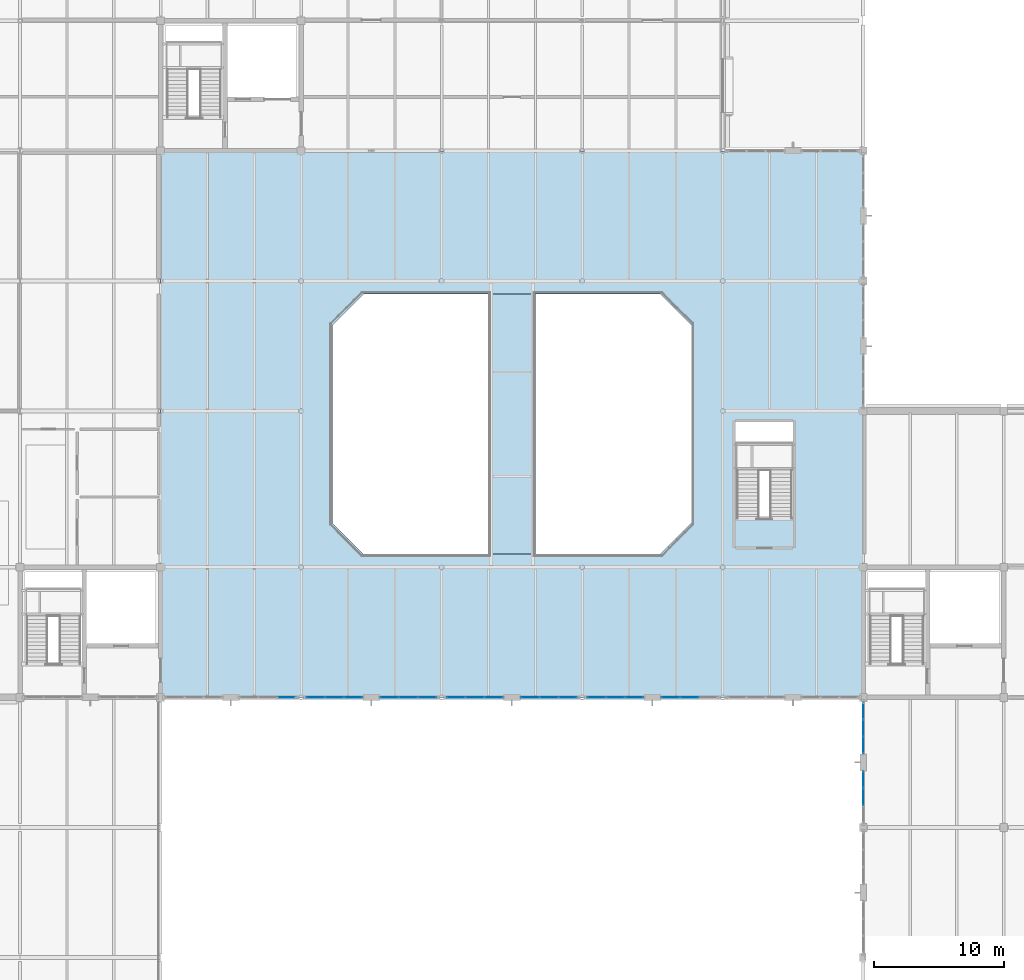
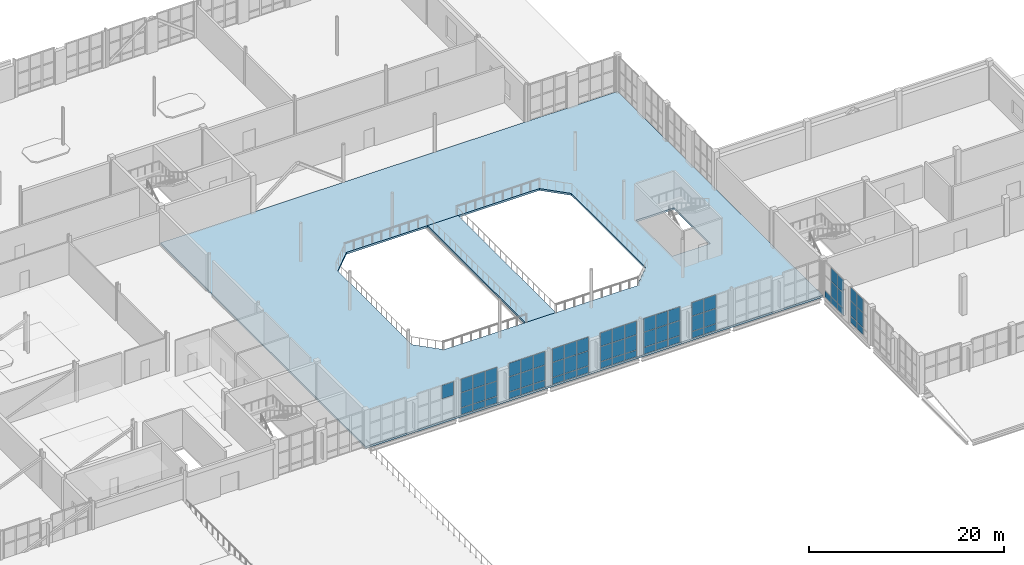
# One storey, part 65 of 100: 65 plates, 2 slabs, 9 elements without a shape of their own.
"""IFC4 building model written with IfcOpenShell, lengths in metres."""

from ifc_helpers import new_model, si_unit, direction, frame, origin, origin_2d, place, context, subcontext, project, spatial, polyline, rectangle, outline, extrude, material, layer, layer_set, type_object, element, aggregate, save


model = new_model("IFC4")

# Units and contexts
model_context = context("Model", 3, precision=1e-05, world=origin(), true_north=direction((0.0, 1.0)))
body_context = subcontext(model_context, "Body", "Model", "MODEL_VIEW")
ifc_project = project(units=[si_unit("LENGTHUNIT", "METRE"), si_unit("AREAUNIT", "SQUARE_METRE"), si_unit("VOLUMEUNIT", "CUBIC_METRE"), si_unit("PLANEANGLEUNIT", "RADIAN"), si_unit("MASSUNIT", "GRAM", prefix="KILO")], contexts=[model_context])

# Site, building, storey
site_placement = place(None, origin())
site = spatial("IfcSite", under=ifc_project, at=site_placement, CompositionType="ELEMENT")
building_placement = place(site_placement, origin())
building = spatial("IfcBuilding", under=site, at=building_placement, Name="Tasgan Crest Museum", CompositionType="ELEMENT")
storey_placement = place(building_placement, frame((0.0, 0.0, 9.60009765625)))
storey = spatial("IfcBuildingStorey", under=building, at=storey_placement, Name="L02", CompositionType="ELEMENT", Elevation=9.60009765625)

# Curtain wall, plates
ifc_material_1 = material(Name="Triple-Glazed Aluminium Curtain Wall", Category="aluminium")
ifc_layer_1 = layer(ifc_material_1, 0.179931640625, Name="CW-GAL-Y-48")
ifc_layer_set_1 = layer_set([ifc_layer_1], Name="Triple-Glazed Aluminium Curtain Wall")
curtain_wall_type_1 = type_object("IfcCurtainWallType", Name="CW-GAL-Y-48", PredefinedType="NOTDEFINED", material=ifc_layer_set_1)
curtain_wall_1_placement = place(storey_placement, origin())
curtain_wall_1 = element("IfcCurtainWall", 1, at=curtain_wall_1_placement, inside=storey, type_object=curtain_wall_type_1, Name="Curtain wall L02 061", PredefinedType="NOTDEFINED")
ifc_material_2 = material(Name="Insulated Spandrel Glass", Category="glass")
ifc_layer_2 = layer(ifc_material_2, 0.052001953125, Name="CW-PANEL-SPANDREL")
ifc_layer_set_2 = layer_set([ifc_layer_2], Name="Insulated Spandrel Glass")
plate_type_1 = type_object("IfcPlateType", Name="CW-PANEL-SPANDREL", PredefinedType="CURTAIN_PANEL", material=ifc_layer_set_2)
plate_1_placement = place(storey_placement, frame((108.0, 38.955078125, 0.059814453125), z_axis=(0.0, 0.0, 1.0), x_axis=(0.0, -1.0, 0.0)))
plate_1 = element("IfcPlate", 2, at=plate_1_placement, type_object=plate_type_1, Name="CW16 panel 1.1", PredefinedType="CURTAIN_PANEL", context=body_context, shape_type="SweptSolid", body=[
    extrude(rectangle(XDim=1.239990234375, YDim=0.028076171875, at=origin_2d()), origin(), (0.0, 0.0, 1.0), 0.81005859375),
])
plate_2_placement = place(storey_placement, frame((108.0, 37.639892578125, 0.059814453125), z_axis=(0.0, 0.0, 1.0), x_axis=(0.0, -1.0, 0.0)))
plate_2 = element("IfcPlate", 3, at=plate_2_placement, type_object=plate_type_1, Name="CW16 panel 2.1", PredefinedType="CURTAIN_PANEL", context=body_context, shape_type="SweptSolid", body=[
    extrude(rectangle(XDim=1.27001953125, YDim=0.028076171875, at=origin_2d()), origin(), (0.0, 0.0, 1.0), 0.81005859375),
])
plate_3_placement = place(storey_placement, frame((108.0, 36.324951171875, 0.059814453125), z_axis=(0.0, 0.0, 1.0), x_axis=(0.0, -1.0, 0.0)))
plate_3 = element("IfcPlate", 4, at=plate_3_placement, type_object=plate_type_1, Name="CW16 panel 3.1", PredefinedType="CURTAIN_PANEL", context=body_context, shape_type="SweptSolid", body=[
    extrude(rectangle(XDim=1.239990234375, YDim=0.028076171875, at=origin_2d()), origin(), (0.0, 0.0, 1.0), 0.81005859375),
])

curtain_wall_2_placement = place(storey_placement, origin())
curtain_wall_2 = element("IfcCurtainWall", 5, at=curtain_wall_2_placement, inside=storey, type_object=curtain_wall_type_1, Name="Curtain wall L02 062", PredefinedType="NOTDEFINED")
plate_4_placement = place(storey_placement, frame((108.0, 33.675048828125, 0.059814453125), z_axis=(0.0, 0.0, 1.0), x_axis=(0.0, -1.0, 0.0)))
plate_4 = element("IfcPlate", 6, at=plate_4_placement, type_object=plate_type_1, Name="CW16 panel 1.1", PredefinedType="CURTAIN_PANEL", context=body_context, shape_type="SweptSolid", body=[
    extrude(rectangle(XDim=1.239990234375, YDim=0.028076171875, at=origin_2d()), origin(), (0.0, 0.0, 1.0), 0.81005859375),
])
plate_5_placement = place(storey_placement, frame((108.0, 32.360107421875, 0.059814453125), z_axis=(0.0, 0.0, 1.0), x_axis=(0.0, -1.0, 0.0)))
plate_5 = element("IfcPlate", 7, at=plate_5_placement, type_object=plate_type_1, Name="CW16 panel 2.1", PredefinedType="CURTAIN_PANEL", context=body_context, shape_type="SweptSolid", body=[
    extrude(rectangle(XDim=1.27001953125, YDim=0.028076171875, at=origin_2d()), origin(), (0.0, 0.0, 1.0), 0.81005859375),
])

ifc_material_3 = material(Name="Triple-Glazed Aluminium Curtain Wall", Category="aluminium")
ifc_layer_3 = layer(ifc_material_3, 0.179931640625, Name="CW-DRUM-X-48")
ifc_layer_set_3 = layer_set([ifc_layer_3], Name="Triple-Glazed Aluminium Curtain Wall")
curtain_wall_type_2 = type_object("IfcCurtainWallType", Name="CW-DRUM-X-48", PredefinedType="NOTDEFINED", material=ifc_layer_set_3)
curtain_wall_3_placement = place(storey_placement, origin())
curtain_wall_3 = element("IfcCurtainWall", 8, at=curtain_wall_3_placement, inside=storey, type_object=curtain_wall_type_2, Name="Curtain wall L02 103", PredefinedType="NOTDEFINED")
plate_6_placement = place(storey_placement, frame((65.91162109375, 40.0, 0.059814453125), z_axis=(0.0, 0.0, 1.0), x_axis=(1.0, 0.0, 0.0)))
plate_6 = element("IfcPlate", 9, at=plate_6_placement, type_object=plate_type_1, Name="CW03 panel 1.1", PredefinedType="CURTAIN_PANEL", context=body_context, shape_type="SweptSolid", body=[
    extrude(rectangle(XDim=1.373291015625, YDim=0.028076171875, at=origin_2d()), origin(), (0.0, 0.0, 1.0), 0.81005859375),
])
plate_7_placement = place(storey_placement, frame((67.360107421875, 40.0, 0.059814453125), z_axis=(0.0, 0.0, 1.0), x_axis=(1.0, 0.0, 0.0)))
plate_7 = element("IfcPlate", 10, at=plate_7_placement, type_object=plate_type_1, Name="CW03 panel 2.1", PredefinedType="CURTAIN_PANEL", context=body_context, shape_type="SweptSolid", body=[
    extrude(rectangle(XDim=1.4033203125, YDim=0.028076171875, at=origin_2d()), origin(), (0.0, 0.0, 1.0), 0.81005859375),
])
plate_8_placement = place(storey_placement, frame((68.808349609375, 40.0, 0.059814453125), z_axis=(0.0, 0.0, 1.0), x_axis=(1.0, 0.0, 0.0)))
plate_8 = element("IfcPlate", 11, at=plate_8_placement, type_object=plate_type_1, Name="CW03 panel 3.1", PredefinedType="CURTAIN_PANEL", context=body_context, shape_type="SweptSolid", body=[
    extrude(rectangle(XDim=1.373291015625, YDim=0.028076171875, at=origin_2d()), origin(), (0.0, 0.0, 1.0), 0.81005859375),
])

curtain_wall_4_placement = place(storey_placement, origin())
curtain_wall_4 = element("IfcCurtainWall", 12, at=curtain_wall_4_placement, inside=storey, type_object=curtain_wall_type_2, Name="Curtain wall L02 104", PredefinedType="NOTDEFINED")
plate_9_placement = place(storey_placement, frame((71.591552734375, 40.0, 0.059814453125), z_axis=(0.0, 0.0, 1.0), x_axis=(1.0, 0.0, 0.0)))
plate_9 = element("IfcPlate", 13, at=plate_9_placement, type_object=plate_type_1, Name="CW03 panel 1.1", PredefinedType="CURTAIN_PANEL", context=body_context, shape_type="SweptSolid", body=[
    extrude(rectangle(XDim=1.373291015625, YDim=0.028076171875, at=origin_2d()), origin(), (0.0, 0.0, 1.0), 0.81005859375),
])
plate_10_placement = place(storey_placement, frame((73.0400390625, 40.0, 0.059814453125), z_axis=(0.0, 0.0, 1.0), x_axis=(1.0, 0.0, 0.0)))
plate_10 = element("IfcPlate", 14, at=plate_10_placement, type_object=plate_type_1, Name="CW03 panel 2.1", PredefinedType="CURTAIN_PANEL", context=body_context, shape_type="SweptSolid", body=[
    extrude(rectangle(XDim=1.4033203125, YDim=0.028076171875, at=origin_2d()), origin(), (0.0, 0.0, 1.0), 0.81005859375),
])
plate_11_placement = place(storey_placement, frame((74.48828125, 40.0, 0.059814453125), z_axis=(0.0, 0.0, 1.0), x_axis=(1.0, 0.0, 0.0)))
plate_11 = element("IfcPlate", 15, at=plate_11_placement, type_object=plate_type_1, Name="CW03 panel 3.1", PredefinedType="CURTAIN_PANEL", context=body_context, shape_type="SweptSolid", body=[
    extrude(rectangle(XDim=1.373291015625, YDim=0.028076171875, at=origin_2d()), origin(), (0.0, 0.0, 1.0), 0.81005859375),
])

curtain_wall_5_placement = place(storey_placement, origin())
curtain_wall_5 = element("IfcCurtainWall", 16, at=curtain_wall_5_placement, inside=storey, type_object=curtain_wall_type_2, Name="Curtain wall L02 105", PredefinedType="NOTDEFINED")
plate_12_placement = place(storey_placement, frame((76.711669921875, 40.0, 0.059814453125), z_axis=(0.0, 0.0, 1.0), x_axis=(1.0, 0.0, 0.0)))
plate_12 = element("IfcPlate", 17, at=plate_12_placement, type_object=plate_type_1, Name="CW03 panel 1.1", PredefinedType="CURTAIN_PANEL", context=body_context, shape_type="SweptSolid", body=[
    extrude(rectangle(XDim=1.373291015625, YDim=0.028076171875, at=origin_2d()), origin(), (0.0, 0.0, 1.0), 0.81005859375),
])
plate_13_placement = place(storey_placement, frame((78.159912109375, 40.0, 0.059814453125), z_axis=(0.0, 0.0, 1.0), x_axis=(1.0, 0.0, 0.0)))
plate_13 = element("IfcPlate", 18, at=plate_13_placement, type_object=plate_type_1, Name="CW03 panel 2.1", PredefinedType="CURTAIN_PANEL", context=body_context, shape_type="SweptSolid", body=[
    extrude(rectangle(XDim=1.4033203125, YDim=0.028076171875, at=origin_2d()), origin(), (0.0, 0.0, 1.0), 0.81005859375),
])
plate_14_placement = place(storey_placement, frame((79.6083984375, 40.0, 0.059814453125), z_axis=(0.0, 0.0, 1.0), x_axis=(1.0, 0.0, 0.0)))
plate_14 = element("IfcPlate", 19, at=plate_14_placement, type_object=plate_type_1, Name="CW03 panel 3.1", PredefinedType="CURTAIN_PANEL", context=body_context, shape_type="SweptSolid", body=[
    extrude(rectangle(XDim=1.373291015625, YDim=0.028076171875, at=origin_2d()), origin(), (0.0, 0.0, 1.0), 0.81005859375),
])

curtain_wall_6_placement = place(storey_placement, origin())
curtain_wall_6 = element("IfcCurtainWall", 20, at=curtain_wall_6_placement, inside=storey, type_object=curtain_wall_type_2, Name="Curtain wall L02 106", PredefinedType="NOTDEFINED")
plate_15_placement = place(storey_placement, frame((82.3916015625, 40.0, 0.059814453125), z_axis=(0.0, 0.0, 1.0), x_axis=(1.0, 0.0, 0.0)))
plate_15 = element("IfcPlate", 21, at=plate_15_placement, type_object=plate_type_1, Name="CW03 panel 1.1", PredefinedType="CURTAIN_PANEL", context=body_context, shape_type="SweptSolid", body=[
    extrude(rectangle(XDim=1.373291015625, YDim=0.028076171875, at=origin_2d()), origin(), (0.0, 0.0, 1.0), 0.81005859375),
])
plate_16_placement = place(storey_placement, frame((83.840087890625, 40.0, 0.059814453125), z_axis=(0.0, 0.0, 1.0), x_axis=(1.0, 0.0, 0.0)))
plate_16 = element("IfcPlate", 22, at=plate_16_placement, type_object=plate_type_1, Name="CW03 panel 2.1", PredefinedType="CURTAIN_PANEL", context=body_context, shape_type="SweptSolid", body=[
    extrude(rectangle(XDim=1.4033203125, YDim=0.028076171875, at=origin_2d()), origin(), (0.0, 0.0, 1.0), 0.81005859375),
])
plate_17_placement = place(storey_placement, frame((85.288330078125, 40.0, 0.059814453125), z_axis=(0.0, 0.0, 1.0), x_axis=(1.0, 0.0, 0.0)))
plate_17 = element("IfcPlate", 23, at=plate_17_placement, type_object=plate_type_1, Name="CW03 panel 3.1", PredefinedType="CURTAIN_PANEL", context=body_context, shape_type="SweptSolid", body=[
    extrude(rectangle(XDim=1.373291015625, YDim=0.028076171875, at=origin_2d()), origin(), (0.0, 0.0, 1.0), 0.81005859375),
])

curtain_wall_7_placement = place(storey_placement, origin())
curtain_wall_7 = element("IfcCurtainWall", 24, at=curtain_wall_7_placement, inside=storey, type_object=curtain_wall_type_2, Name="Curtain wall L02 107", PredefinedType="NOTDEFINED")
plate_18_placement = place(storey_placement, frame((87.51171875, 40.0, 0.059814453125), z_axis=(0.0, 0.0, 1.0), x_axis=(1.0, 0.0, 0.0)))
plate_18 = element("IfcPlate", 25, at=plate_18_placement, type_object=plate_type_1, Name="CW03 panel 1.1", PredefinedType="CURTAIN_PANEL", context=body_context, shape_type="SweptSolid", body=[
    extrude(rectangle(XDim=1.373291015625, YDim=0.028076171875, at=origin_2d()), origin(), (0.0, 0.0, 1.0), 0.81005859375),
])
plate_19_placement = place(storey_placement, frame((88.9599609375, 40.0, 0.059814453125), z_axis=(0.0, 0.0, 1.0), x_axis=(1.0, 0.0, 0.0)))
plate_19 = element("IfcPlate", 26, at=plate_19_placement, type_object=plate_type_1, Name="CW03 panel 2.1", PredefinedType="CURTAIN_PANEL", context=body_context, shape_type="SweptSolid", body=[
    extrude(rectangle(XDim=1.4033203125, YDim=0.028076171875, at=origin_2d()), origin(), (0.0, 0.0, 1.0), 0.81005859375),
])
plate_20_placement = place(storey_placement, frame((90.408447265625, 40.0, 0.059814453125), z_axis=(0.0, 0.0, 1.0), x_axis=(1.0, 0.0, 0.0)))
plate_20 = element("IfcPlate", 27, at=plate_20_placement, type_object=plate_type_1, Name="CW03 panel 3.1", PredefinedType="CURTAIN_PANEL", context=body_context, shape_type="SweptSolid", body=[
    extrude(rectangle(XDim=1.373291015625, YDim=0.028076171875, at=origin_2d()), origin(), (0.0, 0.0, 1.0), 0.81005859375),
])

curtain_wall_8_placement = place(storey_placement, origin())
curtain_wall_8 = element("IfcCurtainWall", 28, at=curtain_wall_8_placement, inside=storey, type_object=curtain_wall_type_2, Name="Curtain wall L02 108", PredefinedType="NOTDEFINED")
plate_21_placement = place(storey_placement, frame((93.191650390625, 40.0, 0.059814453125), z_axis=(0.0, 0.0, 1.0), x_axis=(1.0, 0.0, 0.0)))
plate_21 = element("IfcPlate", 29, at=plate_21_placement, type_object=plate_type_1, Name="CW03 panel 1.1", PredefinedType="CURTAIN_PANEL", context=body_context, shape_type="SweptSolid", body=[
    extrude(rectangle(XDim=1.373291015625, YDim=0.028076171875, at=origin_2d()), origin(), (0.0, 0.0, 1.0), 0.81005859375),
])
plate_22_placement = place(storey_placement, frame((94.639892578125, 40.0, 0.059814453125), z_axis=(0.0, 0.0, 1.0), x_axis=(1.0, 0.0, 0.0)))
plate_22 = element("IfcPlate", 30, at=plate_22_placement, type_object=plate_type_1, Name="CW03 panel 2.1", PredefinedType="CURTAIN_PANEL", context=body_context, shape_type="SweptSolid", body=[
    extrude(rectangle(XDim=1.4033203125, YDim=0.028076171875, at=origin_2d()), origin(), (0.0, 0.0, 1.0), 0.81005859375),
])

# Plate
ifc_material_4 = material(Name="Low-E Triple Glazing", Category="glass")
ifc_layer_4 = layer(ifc_material_4, 0.0439453125, Name="CW-PANEL-TRIPLE")
ifc_layer_set_4 = layer_set([ifc_layer_4], Name="Low-E Triple Glazing")
plate_type_2 = type_object("IfcPlateType", Name="CW-PANEL-TRIPLE", PredefinedType="CURTAIN_PANEL", material=ifc_layer_set_4)
plate_23_placement = place(storey_placement, frame((108.0, 37.639892578125, 0.9296875), z_axis=(0.0, 0.0, 1.0), x_axis=(0.0, -1.0, 0.0)))
plate_23 = element("IfcPlate", 31, at=plate_23_placement, type_object=plate_type_2, Name="CW16 panel 2.2", PredefinedType="CURTAIN_PANEL", context=body_context, shape_type="SweptSolid", body=[
    extrude(rectangle(XDim=1.27001953125, YDim=0.028076171875, at=origin_2d()), origin(), (0.0, 0.0, 1.0), 1.840087890625),
])

plate_24_placement = place(storey_placement, frame((108.0, 37.639892578125, 2.829833984375), z_axis=(0.0, 0.0, 1.0), x_axis=(0.0, -1.0, 0.0)))
plate_24 = element("IfcPlate", 32, at=plate_24_placement, type_object=plate_type_2, Name="CW16 panel 2.3", PredefinedType="CURTAIN_PANEL", context=body_context, shape_type="SweptSolid", body=[
    extrude(rectangle(XDim=1.27001953125, YDim=0.028076171875, at=origin_2d()), origin(), (0.0, 0.0, 1.0), 1.669921875),
])

plate_25_placement = place(storey_placement, frame((108.0, 36.324951171875, 0.9296875), z_axis=(0.0, 0.0, 1.0), x_axis=(0.0, -1.0, 0.0)))
plate_25 = element("IfcPlate", 33, at=plate_25_placement, type_object=plate_type_2, Name="CW16 panel 3.2", PredefinedType="CURTAIN_PANEL", context=body_context, shape_type="SweptSolid", body=[
    extrude(rectangle(XDim=1.239990234375, YDim=0.028076171875, at=origin_2d()), origin(), (0.0, 0.0, 1.0), 1.840087890625),
])

plate_26_placement = place(storey_placement, frame((108.0, 36.324951171875, 2.829833984375), z_axis=(0.0, 0.0, 1.0), x_axis=(0.0, -1.0, 0.0)))
plate_26 = element("IfcPlate", 34, at=plate_26_placement, type_object=plate_type_2, Name="CW16 panel 3.3", PredefinedType="CURTAIN_PANEL", context=body_context, shape_type="SweptSolid", body=[
    extrude(rectangle(XDim=1.239990234375, YDim=0.028076171875, at=origin_2d()), origin(), (0.0, 0.0, 1.0), 1.669921875),
])

aggregate(curtain_wall_1, [plate_1, plate_2, plate_23, plate_24, plate_3, plate_25, plate_26])

plate_27_placement = place(storey_placement, frame((108.0, 33.675048828125, 0.9296875), z_axis=(0.0, 0.0, 1.0), x_axis=(0.0, -1.0, 0.0)))
plate_27 = element("IfcPlate", 35, at=plate_27_placement, type_object=plate_type_2, Name="CW16 panel 1.2", PredefinedType="CURTAIN_PANEL", context=body_context, shape_type="SweptSolid", body=[
    extrude(rectangle(XDim=1.239990234375, YDim=0.028076171875, at=origin_2d()), origin(), (0.0, 0.0, 1.0), 1.840087890625),
])

plate_28_placement = place(storey_placement, frame((108.0, 33.675048828125, 2.829833984375), z_axis=(0.0, 0.0, 1.0), x_axis=(0.0, -1.0, 0.0)))
plate_28 = element("IfcPlate", 36, at=plate_28_placement, type_object=plate_type_2, Name="CW16 panel 1.3", PredefinedType="CURTAIN_PANEL", context=body_context, shape_type="SweptSolid", body=[
    extrude(rectangle(XDim=1.239990234375, YDim=0.028076171875, at=origin_2d()), origin(), (0.0, 0.0, 1.0), 1.669921875),
])

plate_29_placement = place(storey_placement, frame((108.0, 32.360107421875, 0.9296875), z_axis=(0.0, 0.0, 1.0), x_axis=(0.0, -1.0, 0.0)))
plate_29 = element("IfcPlate", 37, at=plate_29_placement, type_object=plate_type_2, Name="CW16 panel 2.2", PredefinedType="CURTAIN_PANEL", context=body_context, shape_type="SweptSolid", body=[
    extrude(rectangle(XDim=1.27001953125, YDim=0.028076171875, at=origin_2d()), origin(), (0.0, 0.0, 1.0), 1.840087890625),
])

plate_30_placement = place(storey_placement, frame((108.0, 32.360107421875, 2.829833984375), z_axis=(0.0, 0.0, 1.0), x_axis=(0.0, -1.0, 0.0)))
plate_30 = element("IfcPlate", 38, at=plate_30_placement, type_object=plate_type_2, Name="CW16 panel 2.3", PredefinedType="CURTAIN_PANEL", context=body_context, shape_type="SweptSolid", body=[
    extrude(rectangle(XDim=1.27001953125, YDim=0.028076171875, at=origin_2d()), origin(), (0.0, 0.0, 1.0), 1.669921875),
])

aggregate(curtain_wall_2, [plate_4, plate_27, plate_28, plate_5, plate_29, plate_30])

# Curtain wall, plate
curtain_wall_9_placement = place(storey_placement, origin())
curtain_wall_9 = element("IfcCurtainWall", 39, at=curtain_wall_9_placement, inside=storey, type_object=curtain_wall_type_2, Name="Curtain wall L02 102", PredefinedType="NOTDEFINED")
plate_31_placement = place(storey_placement, frame((63.688232421875, 40.0, 2.829833984375), z_axis=(0.0, 0.0, 1.0), x_axis=(1.0, 0.0, 0.0)))
plate_31 = element("IfcPlate", 40, at=plate_31_placement, type_object=plate_type_2, Name="CW03 panel 3.3", PredefinedType="CURTAIN_PANEL", context=body_context, shape_type="SweptSolid", body=[
    extrude(rectangle(XDim=1.373291015625, YDim=0.028076171875, at=origin_2d()), origin(), (0.0, 0.0, 1.0), 1.669921875),
])
aggregate(curtain_wall_9, [plate_31])

# Plate
plate_32_placement = place(storey_placement, frame((65.91162109375, 40.0, 0.9296875), z_axis=(0.0, 0.0, 1.0), x_axis=(1.0, 0.0, 0.0)))
plate_32 = element("IfcPlate", 41, at=plate_32_placement, type_object=plate_type_2, Name="CW03 panel 1.2", PredefinedType="CURTAIN_PANEL", context=body_context, shape_type="SweptSolid", body=[
    extrude(rectangle(XDim=1.373291015625, YDim=0.028076171875, at=origin_2d()), origin(), (0.0, 0.0, 1.0), 1.840087890625),
])

plate_33_placement = place(storey_placement, frame((65.91162109375, 40.0, 2.829833984375), z_axis=(0.0, 0.0, 1.0), x_axis=(1.0, 0.0, 0.0)))
plate_33 = element("IfcPlate", 42, at=plate_33_placement, type_object=plate_type_2, Name="CW03 panel 1.3", PredefinedType="CURTAIN_PANEL", context=body_context, shape_type="SweptSolid", body=[
    extrude(rectangle(XDim=1.373291015625, YDim=0.028076171875, at=origin_2d()), origin(), (0.0, 0.0, 1.0), 1.669921875),
])

plate_34_placement = place(storey_placement, frame((67.360107421875, 40.0, 0.9296875), z_axis=(0.0, 0.0, 1.0), x_axis=(1.0, 0.0, 0.0)))
plate_34 = element("IfcPlate", 43, at=plate_34_placement, type_object=plate_type_2, Name="CW03 panel 2.2", PredefinedType="CURTAIN_PANEL", context=body_context, shape_type="SweptSolid", body=[
    extrude(rectangle(XDim=1.4033203125, YDim=0.028076171875, at=origin_2d()), origin(), (0.0, 0.0, 1.0), 1.840087890625),
])

plate_35_placement = place(storey_placement, frame((67.360107421875, 40.0, 2.829833984375), z_axis=(0.0, 0.0, 1.0), x_axis=(1.0, 0.0, 0.0)))
plate_35 = element("IfcPlate", 44, at=plate_35_placement, type_object=plate_type_2, Name="CW03 panel 2.3", PredefinedType="CURTAIN_PANEL", context=body_context, shape_type="SweptSolid", body=[
    extrude(rectangle(XDim=1.4033203125, YDim=0.028076171875, at=origin_2d()), origin(), (0.0, 0.0, 1.0), 1.669921875),
])

plate_36_placement = place(storey_placement, frame((68.808349609375, 40.0, 0.9296875), z_axis=(0.0, 0.0, 1.0), x_axis=(1.0, 0.0, 0.0)))
plate_36 = element("IfcPlate", 45, at=plate_36_placement, type_object=plate_type_2, Name="CW03 panel 3.2", PredefinedType="CURTAIN_PANEL", context=body_context, shape_type="SweptSolid", body=[
    extrude(rectangle(XDim=1.373291015625, YDim=0.028076171875, at=origin_2d()), origin(), (0.0, 0.0, 1.0), 1.840087890625),
])

plate_37_placement = place(storey_placement, frame((68.808349609375, 40.0, 2.829833984375), z_axis=(0.0, 0.0, 1.0), x_axis=(1.0, 0.0, 0.0)))
plate_37 = element("IfcPlate", 46, at=plate_37_placement, type_object=plate_type_2, Name="CW03 panel 3.3", PredefinedType="CURTAIN_PANEL", context=body_context, shape_type="SweptSolid", body=[
    extrude(rectangle(XDim=1.373291015625, YDim=0.028076171875, at=origin_2d()), origin(), (0.0, 0.0, 1.0), 1.669921875),
])

aggregate(curtain_wall_3, [plate_6, plate_32, plate_33, plate_7, plate_34, plate_35, plate_8, plate_36, plate_37])

plate_38_placement = place(storey_placement, frame((71.591552734375, 40.0, 0.9296875), z_axis=(0.0, 0.0, 1.0), x_axis=(1.0, 0.0, 0.0)))
plate_38 = element("IfcPlate", 47, at=plate_38_placement, type_object=plate_type_2, Name="CW03 panel 1.2", PredefinedType="CURTAIN_PANEL", context=body_context, shape_type="SweptSolid", body=[
    extrude(rectangle(XDim=1.373291015625, YDim=0.028076171875, at=origin_2d()), origin(), (0.0, 0.0, 1.0), 1.840087890625),
])

plate_39_placement = place(storey_placement, frame((71.591552734375, 40.0, 2.829833984375), z_axis=(0.0, 0.0, 1.0), x_axis=(1.0, 0.0, 0.0)))
plate_39 = element("IfcPlate", 48, at=plate_39_placement, type_object=plate_type_2, Name="CW03 panel 1.3", PredefinedType="CURTAIN_PANEL", context=body_context, shape_type="SweptSolid", body=[
    extrude(rectangle(XDim=1.373291015625, YDim=0.028076171875, at=origin_2d()), origin(), (0.0, 0.0, 1.0), 1.669921875),
])

plate_40_placement = place(storey_placement, frame((73.0400390625, 40.0, 0.9296875), z_axis=(0.0, 0.0, 1.0), x_axis=(1.0, 0.0, 0.0)))
plate_40 = element("IfcPlate", 49, at=plate_40_placement, type_object=plate_type_2, Name="CW03 panel 2.2", PredefinedType="CURTAIN_PANEL", context=body_context, shape_type="SweptSolid", body=[
    extrude(rectangle(XDim=1.4033203125, YDim=0.028076171875, at=origin_2d()), origin(), (0.0, 0.0, 1.0), 1.840087890625),
])

plate_41_placement = place(storey_placement, frame((73.0400390625, 40.0, 2.829833984375), z_axis=(0.0, 0.0, 1.0), x_axis=(1.0, 0.0, 0.0)))
plate_41 = element("IfcPlate", 50, at=plate_41_placement, type_object=plate_type_2, Name="CW03 panel 2.3", PredefinedType="CURTAIN_PANEL", context=body_context, shape_type="SweptSolid", body=[
    extrude(rectangle(XDim=1.4033203125, YDim=0.028076171875, at=origin_2d()), origin(), (0.0, 0.0, 1.0), 1.669921875),
])

plate_42_placement = place(storey_placement, frame((74.48828125, 40.0, 0.9296875), z_axis=(0.0, 0.0, 1.0), x_axis=(1.0, 0.0, 0.0)))
plate_42 = element("IfcPlate", 51, at=plate_42_placement, type_object=plate_type_2, Name="CW03 panel 3.2", PredefinedType="CURTAIN_PANEL", context=body_context, shape_type="SweptSolid", body=[
    extrude(rectangle(XDim=1.373291015625, YDim=0.028076171875, at=origin_2d()), origin(), (0.0, 0.0, 1.0), 1.840087890625),
])

plate_43_placement = place(storey_placement, frame((74.48828125, 40.0, 2.829833984375), z_axis=(0.0, 0.0, 1.0), x_axis=(1.0, 0.0, 0.0)))
plate_43 = element("IfcPlate", 52, at=plate_43_placement, type_object=plate_type_2, Name="CW03 panel 3.3", PredefinedType="CURTAIN_PANEL", context=body_context, shape_type="SweptSolid", body=[
    extrude(rectangle(XDim=1.373291015625, YDim=0.028076171875, at=origin_2d()), origin(), (0.0, 0.0, 1.0), 1.669921875),
])

aggregate(curtain_wall_4, [plate_9, plate_38, plate_39, plate_10, plate_40, plate_41, plate_11, plate_42, plate_43])

plate_44_placement = place(storey_placement, frame((76.711669921875, 40.0, 0.9296875), z_axis=(0.0, 0.0, 1.0), x_axis=(1.0, 0.0, 0.0)))
plate_44 = element("IfcPlate", 53, at=plate_44_placement, type_object=plate_type_2, Name="CW03 panel 1.2", PredefinedType="CURTAIN_PANEL", context=body_context, shape_type="SweptSolid", body=[
    extrude(rectangle(XDim=1.373291015625, YDim=0.028076171875, at=origin_2d()), origin(), (0.0, 0.0, 1.0), 1.840087890625),
])

plate_45_placement = place(storey_placement, frame((76.711669921875, 40.0, 2.829833984375), z_axis=(0.0, 0.0, 1.0), x_axis=(1.0, 0.0, 0.0)))
plate_45 = element("IfcPlate", 54, at=plate_45_placement, type_object=plate_type_2, Name="CW03 panel 1.3", PredefinedType="CURTAIN_PANEL", context=body_context, shape_type="SweptSolid", body=[
    extrude(rectangle(XDim=1.373291015625, YDim=0.028076171875, at=origin_2d()), origin(), (0.0, 0.0, 1.0), 1.669921875),
])

plate_46_placement = place(storey_placement, frame((78.159912109375, 40.0, 0.9296875), z_axis=(0.0, 0.0, 1.0), x_axis=(1.0, 0.0, 0.0)))
plate_46 = element("IfcPlate", 55, at=plate_46_placement, type_object=plate_type_2, Name="CW03 panel 2.2", PredefinedType="CURTAIN_PANEL", context=body_context, shape_type="SweptSolid", body=[
    extrude(rectangle(XDim=1.4033203125, YDim=0.028076171875, at=origin_2d()), origin(), (0.0, 0.0, 1.0), 1.840087890625),
])

plate_47_placement = place(storey_placement, frame((78.159912109375, 40.0, 2.829833984375), z_axis=(0.0, 0.0, 1.0), x_axis=(1.0, 0.0, 0.0)))
plate_47 = element("IfcPlate", 56, at=plate_47_placement, type_object=plate_type_2, Name="CW03 panel 2.3", PredefinedType="CURTAIN_PANEL", context=body_context, shape_type="SweptSolid", body=[
    extrude(rectangle(XDim=1.4033203125, YDim=0.028076171875, at=origin_2d()), origin(), (0.0, 0.0, 1.0), 1.669921875),
])

plate_48_placement = place(storey_placement, frame((79.6083984375, 40.0, 0.9296875), z_axis=(0.0, 0.0, 1.0), x_axis=(1.0, 0.0, 0.0)))
plate_48 = element("IfcPlate", 57, at=plate_48_placement, type_object=plate_type_2, Name="CW03 panel 3.2", PredefinedType="CURTAIN_PANEL", context=body_context, shape_type="SweptSolid", body=[
    extrude(rectangle(XDim=1.373291015625, YDim=0.028076171875, at=origin_2d()), origin(), (0.0, 0.0, 1.0), 1.840087890625),
])

plate_49_placement = place(storey_placement, frame((79.6083984375, 40.0, 2.829833984375), z_axis=(0.0, 0.0, 1.0), x_axis=(1.0, 0.0, 0.0)))
plate_49 = element("IfcPlate", 58, at=plate_49_placement, type_object=plate_type_2, Name="CW03 panel 3.3", PredefinedType="CURTAIN_PANEL", context=body_context, shape_type="SweptSolid", body=[
    extrude(rectangle(XDim=1.373291015625, YDim=0.028076171875, at=origin_2d()), origin(), (0.0, 0.0, 1.0), 1.669921875),
])

aggregate(curtain_wall_5, [plate_12, plate_44, plate_45, plate_13, plate_46, plate_47, plate_14, plate_48, plate_49])

plate_50_placement = place(storey_placement, frame((82.3916015625, 40.0, 0.9296875), z_axis=(0.0, 0.0, 1.0), x_axis=(1.0, 0.0, 0.0)))
plate_50 = element("IfcPlate", 59, at=plate_50_placement, type_object=plate_type_2, Name="CW03 panel 1.2", PredefinedType="CURTAIN_PANEL", context=body_context, shape_type="SweptSolid", body=[
    extrude(rectangle(XDim=1.373291015625, YDim=0.028076171875, at=origin_2d()), origin(), (0.0, 0.0, 1.0), 1.840087890625),
])

plate_51_placement = place(storey_placement, frame((82.3916015625, 40.0, 2.829833984375), z_axis=(0.0, 0.0, 1.0), x_axis=(1.0, 0.0, 0.0)))
plate_51 = element("IfcPlate", 60, at=plate_51_placement, type_object=plate_type_2, Name="CW03 panel 1.3", PredefinedType="CURTAIN_PANEL", context=body_context, shape_type="SweptSolid", body=[
    extrude(rectangle(XDim=1.373291015625, YDim=0.028076171875, at=origin_2d()), origin(), (0.0, 0.0, 1.0), 1.669921875),
])

plate_52_placement = place(storey_placement, frame((83.840087890625, 40.0, 0.9296875), z_axis=(0.0, 0.0, 1.0), x_axis=(1.0, 0.0, 0.0)))
plate_52 = element("IfcPlate", 61, at=plate_52_placement, type_object=plate_type_2, Name="CW03 panel 2.2", PredefinedType="CURTAIN_PANEL", context=body_context, shape_type="SweptSolid", body=[
    extrude(rectangle(XDim=1.4033203125, YDim=0.028076171875, at=origin_2d()), origin(), (0.0, 0.0, 1.0), 1.840087890625),
])

plate_53_placement = place(storey_placement, frame((83.840087890625, 40.0, 2.829833984375), z_axis=(0.0, 0.0, 1.0), x_axis=(1.0, 0.0, 0.0)))
plate_53 = element("IfcPlate", 62, at=plate_53_placement, type_object=plate_type_2, Name="CW03 panel 2.3", PredefinedType="CURTAIN_PANEL", context=body_context, shape_type="SweptSolid", body=[
    extrude(rectangle(XDim=1.4033203125, YDim=0.028076171875, at=origin_2d()), origin(), (0.0, 0.0, 1.0), 1.669921875),
])

plate_54_placement = place(storey_placement, frame((85.288330078125, 40.0, 0.9296875), z_axis=(0.0, 0.0, 1.0), x_axis=(1.0, 0.0, 0.0)))
plate_54 = element("IfcPlate", 63, at=plate_54_placement, type_object=plate_type_2, Name="CW03 panel 3.2", PredefinedType="CURTAIN_PANEL", context=body_context, shape_type="SweptSolid", body=[
    extrude(rectangle(XDim=1.373291015625, YDim=0.028076171875, at=origin_2d()), origin(), (0.0, 0.0, 1.0), 1.840087890625),
])

plate_55_placement = place(storey_placement, frame((85.288330078125, 40.0, 2.829833984375), z_axis=(0.0, 0.0, 1.0), x_axis=(1.0, 0.0, 0.0)))
plate_55 = element("IfcPlate", 64, at=plate_55_placement, type_object=plate_type_2, Name="CW03 panel 3.3", PredefinedType="CURTAIN_PANEL", context=body_context, shape_type="SweptSolid", body=[
    extrude(rectangle(XDim=1.373291015625, YDim=0.028076171875, at=origin_2d()), origin(), (0.0, 0.0, 1.0), 1.669921875),
])

aggregate(curtain_wall_6, [plate_15, plate_50, plate_51, plate_16, plate_52, plate_53, plate_17, plate_54, plate_55])

plate_56_placement = place(storey_placement, frame((87.51171875, 40.0, 0.9296875), z_axis=(0.0, 0.0, 1.0), x_axis=(1.0, 0.0, 0.0)))
plate_56 = element("IfcPlate", 65, at=plate_56_placement, type_object=plate_type_2, Name="CW03 panel 1.2", PredefinedType="CURTAIN_PANEL", context=body_context, shape_type="SweptSolid", body=[
    extrude(rectangle(XDim=1.373291015625, YDim=0.028076171875, at=origin_2d()), origin(), (0.0, 0.0, 1.0), 1.840087890625),
])

plate_57_placement = place(storey_placement, frame((87.51171875, 40.0, 2.829833984375), z_axis=(0.0, 0.0, 1.0), x_axis=(1.0, 0.0, 0.0)))
plate_57 = element("IfcPlate", 66, at=plate_57_placement, type_object=plate_type_2, Name="CW03 panel 1.3", PredefinedType="CURTAIN_PANEL", context=body_context, shape_type="SweptSolid", body=[
    extrude(rectangle(XDim=1.373291015625, YDim=0.028076171875, at=origin_2d()), origin(), (0.0, 0.0, 1.0), 1.669921875),
])

plate_58_placement = place(storey_placement, frame((88.9599609375, 40.0, 0.9296875), z_axis=(0.0, 0.0, 1.0), x_axis=(1.0, 0.0, 0.0)))
plate_58 = element("IfcPlate", 67, at=plate_58_placement, type_object=plate_type_2, Name="CW03 panel 2.2", PredefinedType="CURTAIN_PANEL", context=body_context, shape_type="SweptSolid", body=[
    extrude(rectangle(XDim=1.4033203125, YDim=0.028076171875, at=origin_2d()), origin(), (0.0, 0.0, 1.0), 1.840087890625),
])

plate_59_placement = place(storey_placement, frame((88.9599609375, 40.0, 2.829833984375), z_axis=(0.0, 0.0, 1.0), x_axis=(1.0, 0.0, 0.0)))
plate_59 = element("IfcPlate", 68, at=plate_59_placement, type_object=plate_type_2, Name="CW03 panel 2.3", PredefinedType="CURTAIN_PANEL", context=body_context, shape_type="SweptSolid", body=[
    extrude(rectangle(XDim=1.4033203125, YDim=0.028076171875, at=origin_2d()), origin(), (0.0, 0.0, 1.0), 1.669921875),
])

plate_60_placement = place(storey_placement, frame((90.408447265625, 40.0, 0.9296875), z_axis=(0.0, 0.0, 1.0), x_axis=(1.0, 0.0, 0.0)))
plate_60 = element("IfcPlate", 69, at=plate_60_placement, type_object=plate_type_2, Name="CW03 panel 3.2", PredefinedType="CURTAIN_PANEL", context=body_context, shape_type="SweptSolid", body=[
    extrude(rectangle(XDim=1.373291015625, YDim=0.028076171875, at=origin_2d()), origin(), (0.0, 0.0, 1.0), 1.840087890625),
])

plate_61_placement = place(storey_placement, frame((90.408447265625, 40.0, 2.829833984375), z_axis=(0.0, 0.0, 1.0), x_axis=(1.0, 0.0, 0.0)))
plate_61 = element("IfcPlate", 70, at=plate_61_placement, type_object=plate_type_2, Name="CW03 panel 3.3", PredefinedType="CURTAIN_PANEL", context=body_context, shape_type="SweptSolid", body=[
    extrude(rectangle(XDim=1.373291015625, YDim=0.028076171875, at=origin_2d()), origin(), (0.0, 0.0, 1.0), 1.669921875),
])

aggregate(curtain_wall_7, [plate_18, plate_56, plate_57, plate_19, plate_58, plate_59, plate_20, plate_60, plate_61])

plate_62_placement = place(storey_placement, frame((93.191650390625, 40.0, 0.9296875), z_axis=(0.0, 0.0, 1.0), x_axis=(1.0, 0.0, 0.0)))
plate_62 = element("IfcPlate", 71, at=plate_62_placement, type_object=plate_type_2, Name="CW03 panel 1.2", PredefinedType="CURTAIN_PANEL", context=body_context, shape_type="SweptSolid", body=[
    extrude(rectangle(XDim=1.373291015625, YDim=0.028076171875, at=origin_2d()), origin(), (0.0, 0.0, 1.0), 1.840087890625),
])

plate_63_placement = place(storey_placement, frame((93.191650390625, 40.0, 2.829833984375), z_axis=(0.0, 0.0, 1.0), x_axis=(1.0, 0.0, 0.0)))
plate_63 = element("IfcPlate", 72, at=plate_63_placement, type_object=plate_type_2, Name="CW03 panel 1.3", PredefinedType="CURTAIN_PANEL", context=body_context, shape_type="SweptSolid", body=[
    extrude(rectangle(XDim=1.373291015625, YDim=0.028076171875, at=origin_2d()), origin(), (0.0, 0.0, 1.0), 1.669921875),
])

plate_64_placement = place(storey_placement, frame((94.639892578125, 40.0, 0.9296875), z_axis=(0.0, 0.0, 1.0), x_axis=(1.0, 0.0, 0.0)))
plate_64 = element("IfcPlate", 73, at=plate_64_placement, type_object=plate_type_2, Name="CW03 panel 2.2", PredefinedType="CURTAIN_PANEL", context=body_context, shape_type="SweptSolid", body=[
    extrude(rectangle(XDim=1.4033203125, YDim=0.028076171875, at=origin_2d()), origin(), (0.0, 0.0, 1.0), 1.840087890625),
])

plate_65_placement = place(storey_placement, frame((94.639892578125, 40.0, 2.829833984375), z_axis=(0.0, 0.0, 1.0), x_axis=(1.0, 0.0, 0.0)))
plate_65 = element("IfcPlate", 74, at=plate_65_placement, type_object=plate_type_2, Name="CW03 panel 2.3", PredefinedType="CURTAIN_PANEL", context=body_context, shape_type="SweptSolid", body=[
    extrude(rectangle(XDim=1.4033203125, YDim=0.028076171875, at=origin_2d()), origin(), (0.0, 0.0, 1.0), 1.669921875),
])

aggregate(curtain_wall_8, [plate_21, plate_62, plate_63, plate_22, plate_64, plate_65])

# Slabs
ifc_material_5 = material(Name="Concrete C35/45", Category="concrete")
ifc_layer_5 = layer(ifc_material_5, 0.239990234375, Name="SL-FLR-240")
ifc_layer_set_5 = layer_set([ifc_layer_5], Name="Concrete C35/45")
slab_type = type_object("IfcSlabType", Name="SL-FLR-240", PredefinedType="FLOOR", material=ifc_layer_set_5)
slab_1_placement = place(storey_placement, frame((0.0, 0.0, -0.239990234375)))
element("IfcSlab", 75, at=slab_1_placement, inside=storey, type_object=slab_type, Name="Floor slab L02 V2", PredefinedType="FLOOR", context=body_context, shape_type="SweptSolid", body=[
    extrude(outline(polyline([(54.0, 40.0), (108.0, 40.0), (108.0, 82.0), (54.0, 82.0), (54.0, 40.0)]), holes=[polyline([(69.60009765625, 51.0), (92.39990234375, 51.0), (94.800048828125, 53.39990234375), (94.800048828125, 68.60009765625), (92.39990234375, 71.0), (69.60009765625, 71.0), (67.199951171875, 68.60009765625), (67.199951171875, 53.39990234375), (69.60009765625, 51.0)]), polyline([(98.14990234375, 53.75), (102.64990234375, 53.75), (102.64990234375, 61.14990234375), (98.14990234375, 61.14990234375), (98.14990234375, 53.75)])]), origin(), (0.0, 0.0, 1.0), 0.239990234375),
])
slab_2_placement = place(storey_placement, frame((0.0, 0.0, -0.239990234375)))
element("IfcSlab", 76, at=slab_2_placement, inside=storey, type_object=slab_type, Name="Atrium bridge deck L02", PredefinedType="FLOOR", context=body_context, shape_type="SweptSolid", body=[
    extrude(outline(polyline([(79.199951171875, 51.0), (82.800048828125, 51.0), (82.800048828125, 71.0), (79.199951171875, 71.0), (79.199951171875, 51.0)])), origin(), (0.0, 0.0, 1.0), 0.239990234375),
])

save(model, "model.ifc")
